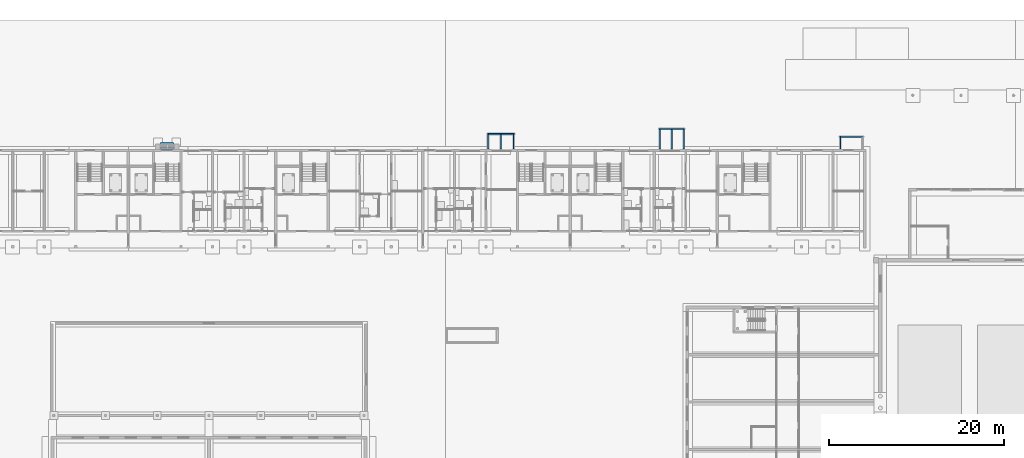
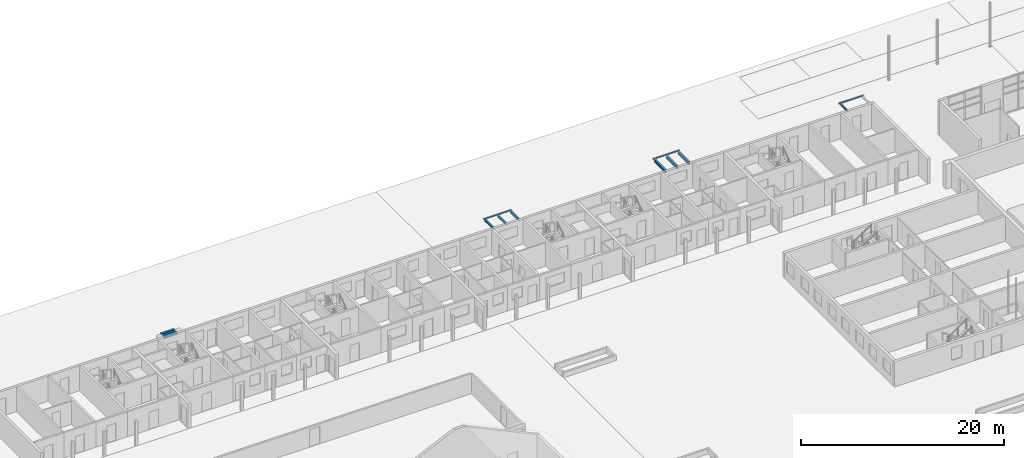
# One storey, part 20 of 112: 12 beams.
"""IFC4 building model written with IfcOpenShell, lengths in metres."""

from ifc_helpers import new_model, si_unit, direction, frame, origin, origin_2d, place, context, subcontext, project, spatial, rectangle, hollow_rectangle, i_section, extrude, material, material_profile, profile_set, type_object, element, save


model = new_model("IFC4")

# Units and contexts
model_context = context("Model", 3, precision=1e-05, world=origin(), true_north=direction((0.0, 1.0)))
body_context = subcontext(model_context, "Body", "Model", "MODEL_VIEW")
ifc_project = project(units=[si_unit("LENGTHUNIT", "METRE"), si_unit("AREAUNIT", "SQUARE_METRE"), si_unit("VOLUMEUNIT", "CUBIC_METRE"), si_unit("PLANEANGLEUNIT", "RADIAN"), si_unit("MASSUNIT", "GRAM", prefix="KILO")], contexts=[model_context])

# Site, building, storey
site_placement = place(None, origin())
site = spatial("IfcSite", under=ifc_project, at=site_placement, CompositionType="ELEMENT")
building_placement = place(site_placement, origin())
building = spatial("IfcBuilding", under=site, at=building_placement, Name="Ridgestep Commons", CompositionType="ELEMENT")
storey_placement = place(building_placement, origin())
storey = spatial("IfcBuildingStorey", under=building, at=storey_placement, Name="L00", CompositionType="ELEMENT", Elevation=0.0)

# Beams
ifc_material_1 = material(Name="Precast concrete C40/50", Category="concrete")
ifc_material_profile_1 = material_profile(ifc_material_1, rectangle(XDim=0.25, YDim=0.25, at=origin_2d()), Name="Portal lintel 250 x 250")
ifc_profile_set_1 = profile_set([ifc_material_profile_1], Name="Precast concrete C40/50")
beam_type_1 = type_object("IfcBeamType", Name="Portal lintel 250 x 250", PredefinedType="BEAM", material=ifc_profile_set_1)
for number, where, z_axis, x_axis, name in (
    (1, (32.47509765625, 77.375, 2.77490234375), (1.0, 0.0, 0.0), (0.0, 1.0, 0.0), "Portal lintel B1"),
    (2, (32.47509765625, 77.925048828125, 2.77490234375), (1.0, 0.0, 0.0), (0.0, 1.0, 0.0), "Portal lintel B2"),
):
    element("IfcBeam", number, at=place(storey_placement, frame(where, z_axis=z_axis, x_axis=x_axis)), inside=storey, type_object=beam_type_1, Name=name, PredefinedType="BEAM", context=body_context, shape_type="SweptSolid", body=[
        extrude(rectangle(XDim=0.25, YDim=0.25, at=origin_2d()), origin(), (0.0, 0.0, 1.0), 1.5),
    ])
ifc_material_2 = material(Name="Weathering steel S355J2W", Category="steel")
ifc_material_profile_2 = material_profile(ifc_material_2, i_section(OverallWidth=0.101806640625, OverallDepth=0.203125, WebThickness=0.00537109375, FlangeThickness=0.00927734375, FilletRadius=0.007568359375, at=origin_2d()), Name="UB 203x102x23")
ifc_profile_set_2 = profile_set([ifc_material_profile_2], Name="Weathering steel S355J2W")
beam_type_2 = type_object("IfcBeamType", Name="Tray arm UB 203x102x23", PredefinedType="BEAM", material=ifc_profile_set_2)
beam_1_placement = place(storey_placement, frame((110.050048828125, 77.264892578125, 2.888427734375), z_axis=(0.0, 1.0, 0.0), x_axis=(-1.0, 0.0, 0.0)))
element("IfcBeam", 3, at=beam_1_placement, inside=storey, type_object=beam_type_2, Name="Tray arm B6T1-01.1", PredefinedType="BEAM", context=body_context, shape_type="SweptSolid", body=[
    extrude(i_section(OverallWidth=0.101806640625, OverallDepth=0.203125, WebThickness=0.00537109375, FlangeThickness=0.00927734375, FilletRadius=0.007568359375, at=origin_2d()), origin(), (0.0, 0.0, 1.0), 1.364990234375),
])
ifc_material_3 = material(Name="Weathering steel S355J2W", Category="steel")
ifc_material_profile_3 = material_profile(ifc_material_3, i_section(OverallWidth=0.14599609375, OverallDepth=0.25146484375, WebThickness=0.006103515625, FlangeThickness=0.008544921875, FilletRadius=0.007568359375, at=origin_2d()), Name="UB 254x146x31")
ifc_profile_set_3 = profile_set([ifc_material_profile_3], Name="Weathering steel S355J2W")
beam_type_3 = type_object("IfcBeamType", Name="Tray arm UB 254x146x31", PredefinedType="BEAM", material=ifc_profile_set_3)
for number, where, z_axis, x_axis, name in (
    (4, (69.85009765625, 77.264892578125, 2.8642578125), (0.0, 1.0, 0.0), (-1.0, 0.0, 0.0), "Tray arm B4T3-01.1"),
    (5, (71.300048828125, 77.264892578125, 2.8642578125), (0.0, 1.0, 0.0), (-1.0, 0.0, 0.0), "Tray arm B4T3-01.2"),
    (6, (72.75, 77.264892578125, 2.8642578125), (0.0, 1.0, 0.0), (-1.0, 0.0, 0.0), "Tray arm B4T3-01.3"),
):
    element("IfcBeam", number, at=place(storey_placement, frame(where, z_axis=z_axis, x_axis=x_axis)), inside=storey, type_object=beam_type_3, Name=name, PredefinedType="BEAM", context=body_context, shape_type="SweptSolid", body=[
        extrude(i_section(OverallWidth=0.14599609375, OverallDepth=0.25146484375, WebThickness=0.006103515625, FlangeThickness=0.008544921875, FilletRadius=0.007568359375, at=origin_2d()), origin(), (0.0, 0.0, 1.0), 1.6650390625),
    ])
ifc_material_4 = material(Name="Weathering steel S355J2W", Category="steel")
ifc_material_profile_4 = material_profile(ifc_material_4, i_section(OverallWidth=0.171142578125, OverallDepth=0.351318359375, WebThickness=0.007080078125, FlangeThickness=0.009765625, FilletRadius=0.01025390625, at=origin_2d()), Name="UB 356x171x45")
ifc_profile_set_4 = profile_set([ifc_material_profile_4], Name="Weathering steel S355J2W")
beam_type_4 = type_object("IfcBeamType", Name="Tray arm UB 356x171x45", PredefinedType="BEAM", material=ifc_profile_set_4)
for number, where, z_axis, x_axis, name in (
    (7, (89.449951171875, 77.264892578125, 2.814208984375), (0.0, 1.0, 0.0), (-1.0, 0.0, 0.0), "Tray arm B5T2-01.1"),
    (8, (90.800048828125, 77.264892578125, 2.814208984375), (0.0, 1.0, 0.0), (-1.0, 0.0, 0.0), "Tray arm B5T2-01.2"),
    (9, (92.14990234375, 77.264892578125, 2.814208984375), (0.0, 1.0, 0.0), (-1.0, 0.0, 0.0), "Tray arm B5T2-01.3"),
):
    element("IfcBeam", number, at=place(storey_placement, frame(where, z_axis=z_axis, x_axis=x_axis)), inside=storey, type_object=beam_type_4, Name=name, PredefinedType="BEAM", context=body_context, shape_type="SweptSolid", body=[
        extrude(i_section(OverallWidth=0.171142578125, OverallDepth=0.351318359375, WebThickness=0.007080078125, FlangeThickness=0.009765625, FilletRadius=0.01025390625, at=origin_2d()), origin(), (0.0, 0.0, 1.0), 2.26513671875),
    ])
ifc_material_5 = material(Name="Weathering steel S355J2W", Category="steel")
ifc_material_profile_5 = material_profile(ifc_material_5, hollow_rectangle(XDim=0.1201171875, YDim=0.1201171875, WallThickness=0.00634765625, InnerFilletRadius=0.00634765625, OuterFilletRadius=0.009521484375, at=origin_2d()), Name="SHS 120x120x6.3")
ifc_profile_set_5 = profile_set([ifc_material_profile_5], Name="Weathering steel S355J2W")
beam_type_5 = type_object("IfcBeamType", Name="Tray edge member SHS 120x120x6.3", PredefinedType="BEAM", material=ifc_profile_set_5)
beam_2_placement = place(storey_placement, frame((69.72998046875, 78.989990234375, 2.929931640625), z_axis=(1.0, 0.0, 0.0), x_axis=(0.0, 0.0, 1.0)))
element("IfcBeam", 10, at=beam_2_placement, inside=storey, type_object=beam_type_5, Name="Tray edge member B4T3-01", PredefinedType="BEAM", context=body_context, shape_type="SweptSolid", body=[
    extrude(hollow_rectangle(XDim=0.1201171875, YDim=0.1201171875, WallThickness=0.00634765625, InnerFilletRadius=0.00634765625, OuterFilletRadius=0.009521484375, at=origin_2d()), origin(), (0.0, 0.0, 1.0), 3.14013671875),
])
beam_3_placement = place(storey_placement, frame((89.330078125, 79.590087890625, 2.929931640625), z_axis=(1.0, 0.0, 0.0), x_axis=(0.0, 0.0, 1.0)))
element("IfcBeam", 11, at=beam_3_placement, inside=storey, type_object=beam_type_5, Name="Tray edge member B5T2-01", PredefinedType="BEAM", context=body_context, shape_type="SweptSolid", body=[
    extrude(hollow_rectangle(XDim=0.1201171875, YDim=0.1201171875, WallThickness=0.00634765625, InnerFilletRadius=0.00634765625, OuterFilletRadius=0.009521484375, at=origin_2d()), origin(), (0.0, 0.0, 1.0), 2.93994140625),
])
beam_4_placement = place(storey_placement, frame((109.929931640625, 78.68994140625, 2.929931640625), z_axis=(1.0, 0.0, 0.0), x_axis=(0.0, 0.0, 1.0)))
element("IfcBeam", 12, at=beam_4_placement, inside=storey, type_object=beam_type_5, Name="Tray edge member B6T1-01", PredefinedType="BEAM", context=body_context, shape_type="SweptSolid", body=[
    extrude(hollow_rectangle(XDim=0.1201171875, YDim=0.1201171875, WallThickness=0.00634765625, InnerFilletRadius=0.00634765625, OuterFilletRadius=0.009521484375, at=origin_2d()), origin(), (0.0, 0.0, 1.0), 2.739990234375),
])

save(model, "model.ifc")
